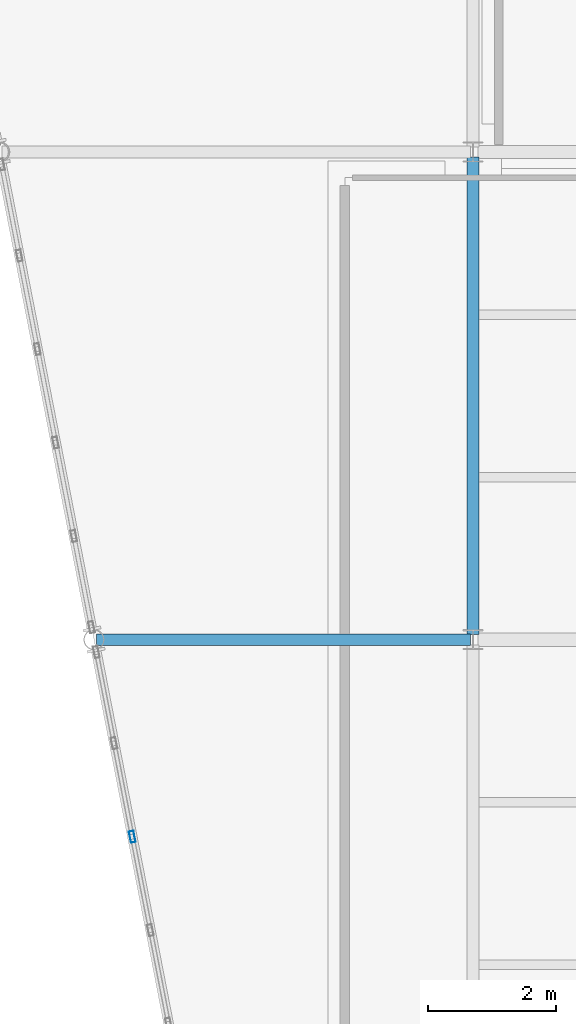
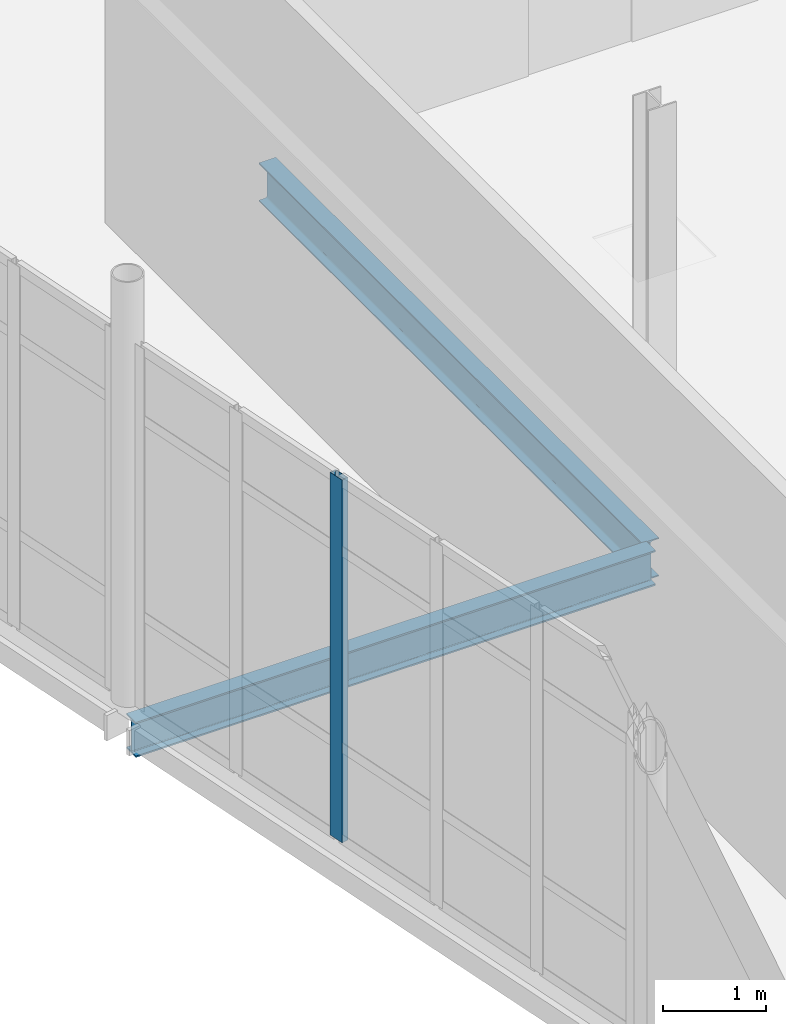
# One storey, part 89 of 161: 2 beams, 1 member, 1 element without a shape of its own.
"""IFC4 building model written with IfcOpenShell, lengths in metres."""

from ifc_helpers import new_model, si_unit, direction, frame, origin, origin_2d, place, context, subcontext, project, spatial, hollow_rectangle, i_section, extrude, material, material_profile, profile_set, type_object, element, aggregate, save


model = new_model("IFC4")

# Units and contexts
model_context = context("Model", 3, precision=1e-05, world=origin(), true_north=direction((0.0, 1.0)))
body_context = subcontext(model_context, "Body", "Model", "MODEL_VIEW")
ifc_project = project(units=[si_unit("LENGTHUNIT", "METRE"), si_unit("AREAUNIT", "SQUARE_METRE"), si_unit("VOLUMEUNIT", "CUBIC_METRE"), si_unit("PLANEANGLEUNIT", "RADIAN"), si_unit("MASSUNIT", "GRAM", prefix="KILO")], contexts=[model_context])

# Site, building, storey
site_placement = place(None, origin())
site = spatial("IfcSite", under=ifc_project, at=site_placement, CompositionType="ELEMENT")
building_placement = place(site_placement, origin())
building = spatial("IfcBuilding", under=site, at=building_placement, Name="Caisbarro Railhouse Central Library", CompositionType="ELEMENT")
storey_placement = place(building_placement, origin())
storey = spatial("IfcBuildingStorey", under=building, at=storey_placement, Name="L00", CompositionType="ELEMENT", Elevation=0.0)

# Beams
ifc_material_1 = material(Name="Steel ASTM A572 Grade 50", Category="steel")
ifc_material_profile_1 = material_profile(ifc_material_1, i_section(OverallWidth=0.18994140625, OverallDepth=0.45703125, WebThickness=0.009033203125, FlangeThickness=0.014404296875, FilletRadius=0.01806640625, at=origin_2d()), Name="W460X74.0")
ifc_profile_set_1 = profile_set([ifc_material_profile_1], Name="Steel ASTM A572 Grade 50")
beam_type_1 = type_object("IfcBeamType", Name="BM-G08", PredefinedType="BEAM", material=ifc_profile_set_1)
beam_1_placement = place(storey_placement, frame((117.0, 91.280029296875, -0.478515625), z_axis=(0.0, 1.0, 0.0), x_axis=(-1.0, 0.0, 0.0)))
element("IfcBeam", 1, at=beam_1_placement, inside=storey, type_object=beam_type_1, Name="G08 beam L00 #526", PredefinedType="BEAM", context=body_context, shape_type="SweptSolid", body=[
    extrude(i_section(OverallWidth=0.18994140625, OverallDepth=0.45703125, WebThickness=0.009033203125, FlangeThickness=0.014404296875, FilletRadius=0.01806640625, at=origin_2d()), origin(), (0.0, 0.0, 1.0), 7.43994140625),
])
ifc_material_profile_2 = material_profile(ifc_material_1, i_section(OverallWidth=0.180908203125, OverallDepth=0.4169921875, WebThickness=0.010986328125, FlangeThickness=0.018310546875, FilletRadius=0.01611328125, at=origin_2d()), Name="W410X85.0")
ifc_profile_set_2 = profile_set([ifc_material_profile_2], Name="Steel ASTM A572 Grade 50")
beam_type_2 = type_object("IfcBeamType", Name="BM-G09", PredefinedType="BEAM", material=ifc_profile_set_2)
beam_2_placement = place(storey_placement, frame((111.131103515625, 91.199951171875, -0.45849609375), z_axis=(1.0, 0.0, 0.0), x_axis=(0.0, 1.0, 0.0)))
element("IfcBeam", 2, at=beam_2_placement, inside=storey, type_object=beam_type_2, Name="G09 beam L00 #690", PredefinedType="BEAM", context=body_context, shape_type="SweptSolid", body=[
    extrude(i_section(OverallWidth=0.180908203125, OverallDepth=0.4169921875, WebThickness=0.010986328125, FlangeThickness=0.018310546875, FilletRadius=0.01611328125, at=origin_2d()), origin(), (0.0, 0.0, 1.0), 5.828857421875),
])

# Curtain wall, member
ifc_material_2 = material(Name="Anodised architectural aluminium", Category="aluminium")
curtain_wall_type = type_object("IfcCurtainWallType", Name="CW-CW01", PredefinedType="NOTDEFINED", material=ifc_material_2)
curtain_wall_placement = place(storey_placement, origin())
curtain_wall = element("IfcCurtainWall", 3, at=curtain_wall_placement, inside=storey, type_object=curtain_wall_type, Name="CW01 curtain wall L00 #98", PredefinedType="NOTDEFINED")
ifc_material_profile_3 = material_profile(ifc_material_2, hollow_rectangle(XDim=0.074951171875, YDim=0.179931640625, WallThickness=0.00439453125, at=origin_2d()), Name="ALU-MUL-75X180")
ifc_profile_set_3 = profile_set([ifc_material_profile_3], Name="Anodised architectural aluminium")
member_type = type_object("IfcMemberType", Name="CWM-M01", PredefinedType="MULLION", material=ifc_profile_set_3)
member_placement = place(storey_placement, frame((111.68798828125, 88.128662109375, 0.0), z_axis=(0.0, 0.0, 1.0), x_axis=(-0.981632635401, -0.190780945369, 0.0)))
member = element("IfcMember", 4, at=member_placement, type_object=member_type, Name="CW01 mullion 4", PredefinedType="MULLION", context=body_context, shape_type="SweptSolid", body=[
    extrude(hollow_rectangle(XDim=0.074951171875, YDim=0.179931640625, WallThickness=0.00439453125, at=origin_2d()), origin(), (0.0, 0.0, 1.0), 4.300048828125),
])
aggregate(curtain_wall, [member])

save(model, "model.ifc")
